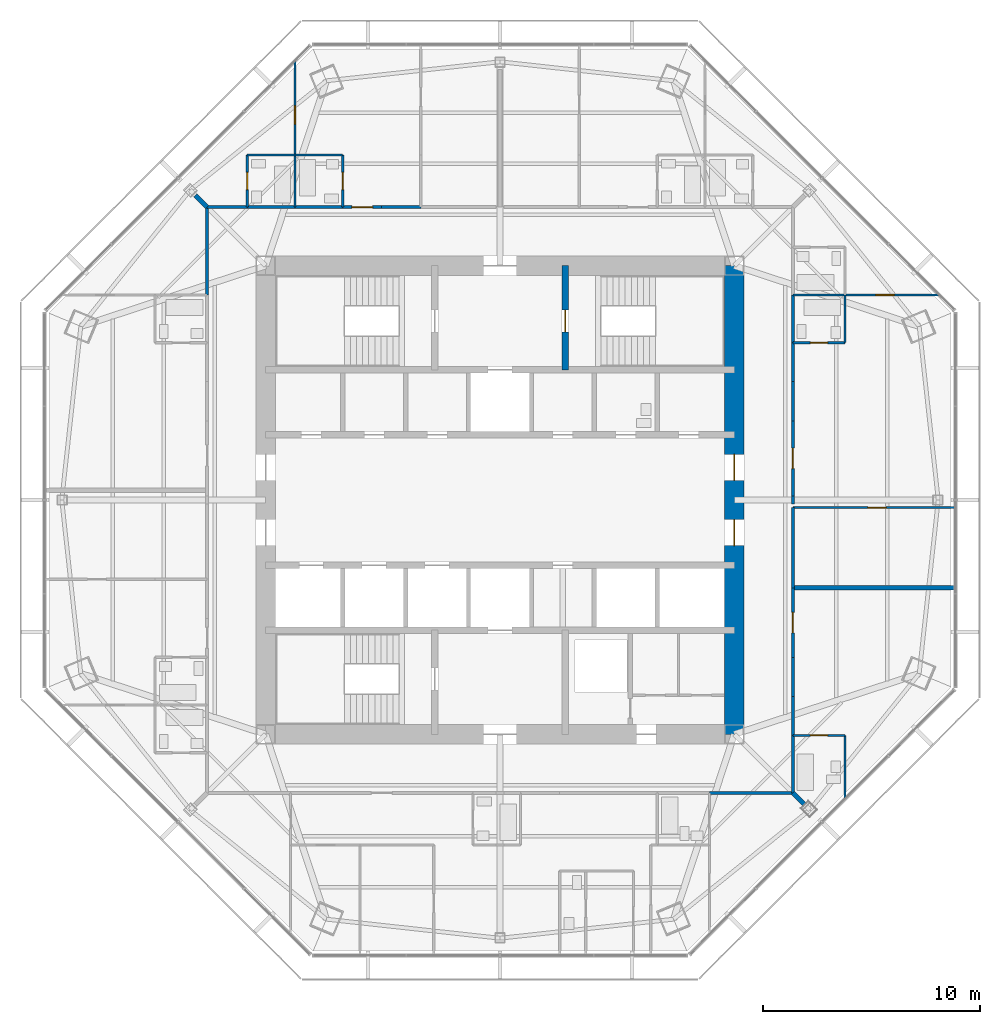
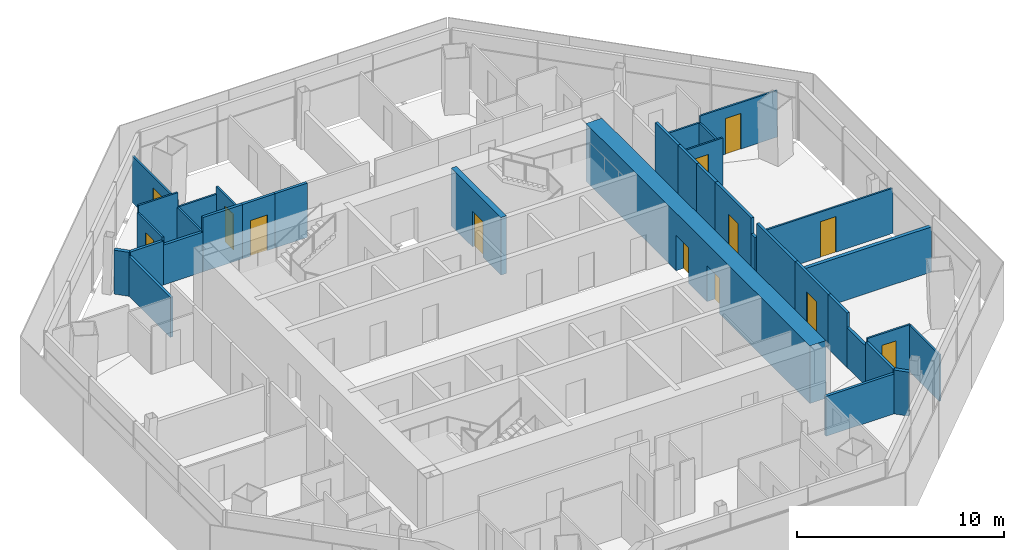
# One storey, part 11 of 15: 35 walls, 13 doors, 13 openings.
"""IFC4 building model written with IfcOpenShell, lengths in metres."""

from ifc_helpers import new_model, si_unit, direction, frame, frame_2d, origin, place, context, subcontext, project, spatial, rectangle, extrude, material, layer, layer_set, type_object, element, fill, save


model = new_model("IFC4")

# Units and contexts
model_context = context("Model", 3, precision=1e-05, world=origin(), true_north=direction((0.0, 1.0)))
body_context = subcontext(model_context, "Body", "Model", "MODEL_VIEW")
ifc_project = project(units=[si_unit("LENGTHUNIT", "METRE"), si_unit("AREAUNIT", "SQUARE_METRE"), si_unit("VOLUMEUNIT", "CUBIC_METRE"), si_unit("PLANEANGLEUNIT", "RADIAN"), si_unit("MASSUNIT", "GRAM", prefix="KILO")], contexts=[model_context])

# Site, building, storey
site_placement = place(None, origin())
site = spatial("IfcSite", under=ifc_project, at=site_placement, CompositionType="ELEMENT")
building_placement = place(site_placement, origin())
building = spatial("IfcBuilding", under=site, at=building_placement, Name="Mashrafa Tower", CompositionType="ELEMENT")
storey_placement = place(building_placement, frame((0.0, 0.0, 248.199951171875)))
storey = spatial("IfcBuildingStorey", under=building, at=storey_placement, Name="L59", CompositionType="ELEMENT", Elevation=248.199951171875)

# Walls
ifc_material_1 = material(Name="Gypsum board on steel studs", Category="steel")
ifc_layer_1 = layer(ifc_material_1, 0.199951171875)
ifc_layer_set_1 = layer_set([ifc_layer_1], Name="Acoustic partition 200 1 hr")
wall_type_1 = type_object("IfcWallType", Name="Acoustic partition 200 1 hr", PredefinedType="PARTITIONING", material=ifc_layer_set_1)
wall_1_placement = place(storey_placement, frame((13.5, -13.5, 0.0), z_axis=(0.0, 0.0, 1.0), x_axis=(0.707106781187, -0.707106781187, 0.0)))
element("IfcWall", 1, at=wall_1_placement, inside=storey, type_object=wall_type_1, Name="Acoustic wall L59-049", PredefinedType="PARTITIONING", context=body_context, shape_type="SweptSolid", body=[
    extrude(rectangle(XDim=0.76123046875, YDim=0.199951171875, at=frame_2d((0.380615234375, 0.0))), origin(), (0.0, 0.0, 1.0), 2.588134765625),
])
wall_2_placement = place(storey_placement, frame((20.9755859375, -4.050048828125, 0.0), z_axis=(0.0, 0.0, 1.0), x_axis=(-1.0, 0.0, 0.0)))
element("IfcWall", 2, at=wall_2_placement, inside=storey, type_object=wall_type_1, Name="Acoustic wall L59-050", PredefinedType="PARTITIONING", context=body_context, shape_type="SweptSolid", body=[
    extrude(rectangle(XDim=7.4755859375, YDim=0.199951171875, at=frame_2d((3.73779296875, 0.0))), origin(), (0.0, 0.0, 1.0), 2.661865234375),
])
wall_3_placement = place(storey_placement, frame((-14.038330078125, 14.038330078125, 0.0), z_axis=(0.0, 0.0, 1.0), x_axis=(0.707106781187, -0.707106781187, 0.0)))
element("IfcWall", 3, at=wall_3_placement, inside=storey, type_object=wall_type_1, Name="Acoustic wall L59-072", PredefinedType="PARTITIONING", context=body_context, shape_type="SweptSolid", body=[
    extrude(rectangle(XDim=0.76123046875, YDim=0.199951171875, at=frame_2d((0.380615234375, 0.0))), origin(), (0.0, 0.0, 1.0), 2.588134765625),
])

# Wall, opening, door
ifc_material_2 = material(Name="Concrete C50/60", Category="concrete")
ifc_layer_2 = layer(ifc_material_2, 0.300048828125)
ifc_layer_set_2 = layer_set([ifc_layer_2], Name="Core wall 300 C50/60")
wall_type_2 = type_object("IfcWallType", Name="Core wall 300 C50/60", PredefinedType="SOLIDWALL", material=ifc_layer_set_2)
wall_4_placement = place(storey_placement, frame((3.0, 6.0, 0.0), z_axis=(0.0, 0.0, 1.0), x_axis=(0.0, 1.0, 0.0)))
wall_4 = element("IfcWall", 4, at=wall_4_placement, inside=storey, type_object=wall_type_2, Name="Core wall CX-NE L59", PredefinedType="SOLIDWALL", context=body_context, shape_type="SweptSolid", body=[
    extrude(rectangle(XDim=4.800048828125, YDim=0.300048828125, at=frame_2d((2.39990234375, 0.0))), origin(), (0.0, 0.0, 1.0), 3.400146484375),
])
opening_1_placement = place(wall_4_placement, frame((1.75, 0.0, 0.0)))
opening_1 = element("IfcOpeningElement", 5, at=opening_1_placement, cuts=wall_4, Name="Opening 59.043", PredefinedType="OPENING", context=body_context, shape_type="SweptSolid", body=[
    extrude(rectangle(XDim=1.0, YDim=2.10009765625, at=frame_2d((0.5, 1.050048828125))), frame((0.0, 0.159912109375, 0.0), z_axis=(0.0, -1.0, 0.0), x_axis=(1.0, 0.0, 0.0)), (0.0, 0.0, 1.0), 0.320068359375),
])
ifc_material_3 = material(Name="Steel door", Category="steel")
door_type_1 = type_object("IfcDoorType", Name="Stair door 1000 x 2100 90 min", OperationType="USERDEFINED", PredefinedType="DOOR", material=ifc_material_3)
door_1_placement = place(opening_1_placement, frame((1.0, 0.0, 0.0), z_axis=(0.0, 0.0, 1.0), x_axis=(-1.0, 0.0, 0.0)))
door_1 = element("IfcDoor", 6, at=door_1_placement, inside=storey, type_object=door_type_1, Name="Stair S2 door L59", OperationType="SINGLE_SWING_RIGHT", OverallHeight=2.10009765625, OverallWidth=1.0, PredefinedType="DOOR", context=body_context, shape_type="SweptSolid", body=[
    extrude(rectangle(XDim=1.0, YDim=2.10009765625, at=frame_2d((0.5, 1.050048828125))), frame((0.0, 0.02490234375, 0.0), z_axis=(0.0, -1.0, 0.0), x_axis=(1.0, 0.0, 0.0)), (0.0, 0.0, 1.0), 0.050048828125),
])
fill(opening_1, door_1)

# Wall, openings, doors
ifc_material_4 = material(Name="Concrete C50/60", Category="concrete")
ifc_layer_3 = layer(ifc_material_4, 0.89990234375)
ifc_layer_set_3 = layer_set([ifc_layer_3], Name="Core wall 900 C50/60")
wall_type_3 = type_object("IfcWallType", Name="Core wall 900 C50/60", PredefinedType="SOLIDWALL", material=ifc_layer_set_3)
wall_5_placement = place(storey_placement, frame((10.800048828125, -10.800048828125, 0.0), z_axis=(0.0, 0.0, 1.0), x_axis=(0.0, 1.0, 0.0)))
wall_5 = element("IfcWall", 7, at=wall_5_placement, inside=storey, type_object=wall_type_3, Name="Core wall CW-E L59", PredefinedType="SOLIDWALL", context=body_context, shape_type="SweptSolid", body=[
    extrude(rectangle(XDim=21.60009765625, YDim=0.89990234375, at=frame_2d((10.800048828125, 0.0))), origin(), (0.0, 0.0, 1.0), 3.400146484375),
])
opening_2_placement = place(wall_5_placement, frame((11.699951171875, 0.0, 0.0)))
opening_2 = element("IfcOpeningElement", 8, at=opening_2_placement, cuts=wall_5, Name="Opening 59.036", PredefinedType="OPENING", context=body_context, shape_type="SweptSolid", body=[
    extrude(rectangle(XDim=1.199951171875, YDim=2.10009765625, at=frame_2d((0.60009765625, 1.050048828125))), frame((0.0, 0.4599609375, 0.0), z_axis=(0.0, -1.0, 0.0), x_axis=(1.0, 0.0, 0.0)), (0.0, 0.0, 1.0), 0.919921875),
])
opening_3_placement = place(wall_5_placement, frame((8.699951171875, 0.0, 0.0)))
opening_3 = element("IfcOpeningElement", 9, at=opening_3_placement, cuts=wall_5, Name="Opening 59.038", PredefinedType="OPENING", context=body_context, shape_type="SweptSolid", body=[
    extrude(rectangle(XDim=1.199951171875, YDim=2.10009765625, at=frame_2d((0.60009765625, 1.050048828125))), frame((0.0, 0.4599609375, 0.0), z_axis=(0.0, -1.0, 0.0), x_axis=(1.0, 0.0, 0.0)), (0.0, 0.0, 1.0), 0.919921875),
])
ifc_material_5 = material(Name="Steel door", Category="steel")
door_type_2 = type_object("IfcDoorType", Name="Lift hall door 1200 x 2100 90 min", OperationType="USERDEFINED", PredefinedType="DOOR", material=ifc_material_5)
door_2_placement = place(opening_2_placement, frame((1.199951171875, 0.0, 0.0), z_axis=(0.0, 0.0, 1.0), x_axis=(-1.0, 0.0, 0.0)))
door_2 = element("IfcDoor", 10, at=door_2_placement, inside=storey, type_object=door_type_2, Name="Lift hall door east L59", OperationType="SINGLE_SWING_LEFT", OverallHeight=2.10009765625, OverallWidth=1.199951171875, PredefinedType="DOOR", context=body_context, shape_type="SweptSolid", body=[
    extrude(rectangle(XDim=1.199951171875, YDim=2.10009765625, at=frame_2d((0.60009765625, 1.050048828125))), frame((0.0, 0.02490234375, 0.0), z_axis=(0.0, -1.0, 0.0), x_axis=(1.0, 0.0, 0.0)), (0.0, 0.0, 1.0), 0.050048828125),
])
fill(opening_2, door_2)
door_3_placement = place(opening_3_placement, frame((1.199951171875, 0.0, 0.0), z_axis=(0.0, 0.0, 1.0), x_axis=(-1.0, 0.0, 0.0)))
door_3 = element("IfcDoor", 11, at=door_3_placement, inside=storey, type_object=door_type_2, Name="Lift hall door east L59", OperationType="SINGLE_SWING_RIGHT", OverallHeight=2.10009765625, OverallWidth=1.199951171875, PredefinedType="DOOR", context=body_context, shape_type="SweptSolid", body=[
    extrude(rectangle(XDim=1.199951171875, YDim=2.10009765625, at=frame_2d((0.60009765625, 1.050048828125))), frame((0.0, 0.02490234375, 0.0), z_axis=(0.0, -1.0, 0.0), x_axis=(1.0, 0.0, 0.0)), (0.0, 0.0, 1.0), 0.050048828125),
])
fill(opening_3, door_3)

# Walls
ifc_material_6 = material(Name="Gypsum board on steel studs", Category="steel")
ifc_layer_4 = layer(ifc_material_6, 0.14990234375)
ifc_layer_set_4 = layer_set([ifc_layer_4], Name="Corridor partition 150 1 hr")
wall_type_4 = type_object("IfcWallType", Name="Corridor partition 150 1 hr", PredefinedType="PARTITIONING", material=ifc_layer_set_4)
wall_6_placement = place(storey_placement, frame((13.5, -13.5, 0.0), z_axis=(0.0, 0.0, 1.0), x_axis=(0.0, 1.0, 0.0)))
element("IfcWall", 12, at=wall_6_placement, inside=storey, type_object=wall_type_4, Name="Corridor wall L59-001", PredefinedType="PARTITIONING", context=body_context, shape_type="SweptSolid", body=[
    extrude(rectangle(XDim=2.65087890625, YDim=0.14990234375, at=frame_2d((1.325439453125, 0.0))), origin(), (0.0, 0.0, 1.0), 2.588134765625),
])
wall_7_placement = place(storey_placement, frame((13.5, -9.051025390625, 0.0), z_axis=(0.0, 0.0, 1.0), x_axis=(0.0, 1.0, 0.0)))
element("IfcWall", 13, at=wall_7_placement, inside=storey, type_object=wall_type_4, Name="Corridor wall L59-002", PredefinedType="PARTITIONING", context=body_context, shape_type="SweptSolid", body=[
    extrude(rectangle(XDim=1.802001953125, YDim=0.14990234375, at=frame_2d((0.90087890625, 0.0))), origin(), (0.0, 0.0, 1.0), 3.199951171875),
])
wall_8_placement = place(storey_placement, frame((13.5, -10.85107421875, 0.0), z_axis=(0.0, 0.0, 1.0), x_axis=(0.0, 1.0, 0.0)))
element("IfcWall", 14, at=wall_8_placement, inside=storey, type_object=wall_type_4, Name="Corridor wall L59-003", PredefinedType="PARTITIONING", context=body_context, shape_type="SweptSolid", body=[
    extrude(rectangle(XDim=1.802001953125, YDim=0.14990234375, at=frame_2d((0.90087890625, 0.0))), origin(), (0.0, 0.0, 1.0), 2.349365234375),
])

# Wall, opening, door
wall_9_placement = place(storey_placement, frame((13.5, -7.2509765625, 0.0), z_axis=(0.0, 0.0, 1.0), x_axis=(0.0, 1.0, 0.0)))
wall_9 = element("IfcWall", 15, at=wall_9_placement, inside=storey, type_object=wall_type_4, Name="Corridor wall L59-004", PredefinedType="PARTITIONING", context=body_context, shape_type="SweptSolid", body=[
    extrude(rectangle(XDim=3.201904296875, YDim=0.14990234375, at=frame_2d((1.60107421875, 0.0))), origin(), (0.0, 0.0, 1.0), 3.199951171875),
])
opening_4_placement = place(wall_9_placement, frame((1.1259765625, 0.0, 0.0)))
opening_4 = element("IfcOpeningElement", 16, at=opening_4_placement, cuts=wall_9, Name="Opening 59.002", PredefinedType="OPENING", context=body_context, shape_type="SweptSolid", body=[
    extrude(rectangle(XDim=0.949951171875, YDim=2.10009765625, at=frame_2d((0.47509765625, 1.050048828125))), frame((0.0, 0.0849609375, 0.0), z_axis=(0.0, -1.0, 0.0), x_axis=(1.0, 0.0, 0.0)), (0.0, 0.0, 1.0), 0.169921875),
])
ifc_material_7 = material(Name="Steel door", Category="steel")
door_type_3 = type_object("IfcDoorType", Name="Residence entrance door 950 x 2100 20 min", OperationType="USERDEFINED", PredefinedType="DOOR", material=ifc_material_7)
door_4_placement = place(opening_4_placement, frame((0.949951171875, 0.0, 0.0), z_axis=(0.0, 0.0, 1.0), x_axis=(-1.0, 0.0, 0.0)))
door_4 = element("IfcDoor", 17, at=door_4_placement, inside=storey, type_object=door_type_3, Name="Apartment 5901 Studio Living Room door", OperationType="SINGLE_SWING_LEFT", OverallHeight=2.10009765625, OverallWidth=0.949951171875, PredefinedType="DOOR", context=body_context, shape_type="SweptSolid", body=[
    extrude(rectangle(XDim=0.949951171875, YDim=2.10009765625, at=frame_2d((0.47509765625, 1.050048828125))), frame((0.0, 0.02490234375, 0.0), z_axis=(0.0, -1.0, 0.0), x_axis=(1.0, 0.0, 0.0)), (0.0, 0.0, 1.0), 0.050048828125),
])
fill(opening_4, door_4)

# Walls
wall_10_placement = place(storey_placement, frame((13.5, 7.2490234375, 0.0), z_axis=(0.0, 0.0, 1.0), x_axis=(0.0, 1.0, 0.0)))
element("IfcWall", 18, at=wall_10_placement, inside=storey, type_object=wall_type_4, Name="Corridor wall L59-007", PredefinedType="PARTITIONING", context=body_context, shape_type="SweptSolid", body=[
    extrude(rectangle(XDim=2.201904296875, YDim=0.14990234375, at=frame_2d((1.10107421875, 0.0))), origin(), (0.0, 0.0, 1.0), 3.199951171875),
])
wall_11_placement = place(storey_placement, frame((13.5, 3.64892578125, 0.0), z_axis=(0.0, 0.0, 1.0), x_axis=(0.0, 1.0, 0.0)))
element("IfcWall", 19, at=wall_11_placement, inside=storey, type_object=wall_type_4, Name="Corridor wall L59-008", PredefinedType="PARTITIONING", context=body_context, shape_type="SweptSolid", body=[
    extrude(rectangle(XDim=1.802001953125, YDim=0.14990234375, at=frame_2d((0.90087890625, 0.0))), origin(), (0.0, 0.0, 1.0), 3.199951171875),
])
wall_12_placement = place(storey_placement, frame((13.5, -4.051025390625, 0.0), z_axis=(0.0, 0.0, 1.0), x_axis=(0.0, 1.0, 0.0)))
element("IfcWall", 20, at=wall_12_placement, inside=storey, type_object=wall_type_4, Name="Corridor wall L59-009", PredefinedType="PARTITIONING", context=body_context, shape_type="SweptSolid", body=[
    extrude(rectangle(XDim=3.701904296875, YDim=0.14990234375, at=frame_2d((1.85107421875, 0.0))), origin(), (0.0, 0.0, 1.0), 3.199951171875),
])

# Wall, opening, door
wall_13_placement = place(storey_placement, frame((13.5, 0.182373046875, 0.0), z_axis=(0.0, 0.0, 1.0), x_axis=(0.0, 1.0, 0.0)))
wall_13 = element("IfcWall", 21, at=wall_13_placement, inside=storey, type_object=wall_type_4, Name="Corridor wall L59-010", PredefinedType="PARTITIONING", context=body_context, shape_type="SweptSolid", body=[
    extrude(rectangle(XDim=3.468505859375, YDim=0.14990234375, at=frame_2d((1.734375, 0.0))), origin(), (0.0, 0.0, 1.0), 3.199951171875),
])
opening_5_placement = place(wall_13_placement, frame((1.25927734375, 0.0, 0.0)))
opening_5 = element("IfcOpeningElement", 22, at=opening_5_placement, cuts=wall_13, Name="Opening 59.007", PredefinedType="OPENING", context=body_context, shape_type="SweptSolid", body=[
    extrude(rectangle(XDim=0.949951171875, YDim=2.10009765625, at=frame_2d((0.47509765625, 1.050048828125))), frame((0.0, 0.0849609375, 0.0), z_axis=(0.0, -1.0, 0.0), x_axis=(1.0, 0.0, 0.0)), (0.0, 0.0, 1.0), 0.169921875),
])
door_5_placement = place(opening_5_placement, frame((0.949951171875, 0.0, 0.0), z_axis=(0.0, 0.0, 1.0), x_axis=(-1.0, 0.0, 0.0)))
door_5 = element("IfcDoor", 23, at=door_5_placement, inside=storey, type_object=door_type_3, Name="Apartment 5902 Living Room door", OperationType="SINGLE_SWING_LEFT", OverallHeight=2.10009765625, OverallWidth=0.949951171875, PredefinedType="DOOR", context=body_context, shape_type="SweptSolid", body=[
    extrude(rectangle(XDim=0.949951171875, YDim=2.10009765625, at=frame_2d((0.47509765625, 1.050048828125))), frame((0.0, 0.02490234375, 0.0), z_axis=(0.0, -1.0, 0.0), x_axis=(1.0, 0.0, 0.0)), (0.0, 0.0, 1.0), 0.050048828125),
])
fill(opening_5, door_5)

# Walls
wall_14_placement = place(storey_placement, frame((13.5, -0.182373046875, 0.0), z_axis=(0.0, 0.0, 1.0), x_axis=(0.0, 1.0, 0.0)))
element("IfcWall", 24, at=wall_14_placement, inside=storey, type_object=wall_type_4, Name="Corridor wall L59-011", PredefinedType="PARTITIONING", context=body_context, shape_type="SweptSolid", body=[
    extrude(rectangle(XDim=0.36474609375, YDim=0.14990234375, at=frame_2d((0.182373046875, 0.0))), origin(), (0.0, 0.0, 1.0), 2.26806640625),
])
wall_15_placement = place(storey_placement, frame((13.5, 5.448974609375, 0.0), z_axis=(0.0, 0.0, 1.0), x_axis=(0.0, 1.0, 0.0)))
element("IfcWall", 25, at=wall_15_placement, inside=storey, type_object=wall_type_4, Name="Corridor wall L59-012", PredefinedType="PARTITIONING", context=body_context, shape_type="SweptSolid", body=[
    extrude(rectangle(XDim=1.802001953125, YDim=0.14990234375, at=frame_2d((0.90087890625, 0.0))), origin(), (0.0, 0.0, 1.0), 3.199951171875),
])
wall_16_placement = place(storey_placement, frame((-9.448974609375, 13.5, 0.0), z_axis=(0.0, 0.0, 1.0), x_axis=(-1.0, 0.0, 0.0)))
element("IfcWall", 26, at=wall_16_placement, inside=storey, type_object=wall_type_4, Name="Corridor wall L59-019", PredefinedType="PARTITIONING", context=body_context, shape_type="SweptSolid", body=[
    extrude(rectangle(XDim=2.201904296875, YDim=0.14990234375, at=frame_2d((1.10107421875, 0.0))), origin(), (0.0, 0.0, 1.0), 2.349365234375),
])
wall_17_placement = place(storey_placement, frame((-11.64892578125, 13.5, 0.0), z_axis=(0.0, 0.0, 1.0), x_axis=(-1.0, 0.0, 0.0)))
element("IfcWall", 27, at=wall_17_placement, inside=storey, type_object=wall_type_4, Name="Corridor wall L59-020", PredefinedType="PARTITIONING", context=body_context, shape_type="SweptSolid", body=[
    extrude(rectangle(XDim=1.85107421875, YDim=0.14990234375, at=frame_2d((0.925537109375, 0.0))), origin(), (0.0, 0.0, 1.0), 2.588134765625),
])
wall_18_placement = place(storey_placement, frame((-7.2490234375, 13.5, 0.0), z_axis=(0.0, 0.0, 1.0), x_axis=(-1.0, 0.0, 0.0)))
element("IfcWall", 28, at=wall_18_placement, inside=storey, type_object=wall_type_4, Name="Corridor wall L59-021", PredefinedType="PARTITIONING", context=body_context, shape_type="SweptSolid", body=[
    extrude(rectangle(XDim=2.201904296875, YDim=0.14990234375, at=frame_2d((1.10107421875, 0.0))), origin(), (0.0, 0.0, 1.0), 3.199951171875),
])
wall_19_placement = place(storey_placement, frame((-3.64892578125, 13.5, 0.0), z_axis=(0.0, 0.0, 1.0), x_axis=(-1.0, 0.0, 0.0)))
element("IfcWall", 29, at=wall_19_placement, inside=storey, type_object=wall_type_4, Name="Corridor wall L59-022", PredefinedType="PARTITIONING", context=body_context, shape_type="SweptSolid", body=[
    extrude(rectangle(XDim=1.802001953125, YDim=0.14990234375, at=frame_2d((0.90087890625, 0.0))), origin(), (0.0, 0.0, 1.0), 3.199951171875),
])

# Wall, opening, door
wall_20_placement = place(storey_placement, frame((-5.448974609375, 13.5, 0.0), z_axis=(0.0, 0.0, 1.0), x_axis=(-1.0, 0.0, 0.0)))
wall_20 = element("IfcWall", 30, at=wall_20_placement, inside=storey, type_object=wall_type_4, Name="Corridor wall L59-024", PredefinedType="PARTITIONING", context=body_context, shape_type="SweptSolid", body=[
    extrude(rectangle(XDim=1.802001953125, YDim=0.14990234375, at=frame_2d((0.90087890625, 0.0))), origin(), (0.0, 0.0, 1.0), 3.199951171875),
])
opening_6_placement = place(wall_20_placement, frame((0.426025390625, 0.0, 0.0)))
opening_6 = element("IfcOpeningElement", 31, at=opening_6_placement, cuts=wall_20, Name="Opening 59.017", PredefinedType="OPENING", context=body_context, shape_type="SweptSolid", body=[
    extrude(rectangle(XDim=0.949951171875, YDim=2.10009765625, at=frame_2d((0.47509765625, 1.050048828125))), frame((0.0, 0.0849609375, 0.0), z_axis=(0.0, -1.0, 0.0), x_axis=(1.0, 0.0, 0.0)), (0.0, 0.0, 1.0), 0.169921875),
])
door_6_placement = place(opening_6_placement, frame((0.949951171875, 0.0, 0.0), z_axis=(0.0, 0.0, 1.0), x_axis=(-1.0, 0.0, 0.0)))
door_6 = element("IfcDoor", 32, at=door_6_placement, inside=storey, type_object=door_type_3, Name="Apartment 5904 Living Room door", OperationType="SINGLE_SWING_RIGHT", OverallHeight=2.10009765625, OverallWidth=0.949951171875, PredefinedType="DOOR", context=body_context, shape_type="SweptSolid", body=[
    extrude(rectangle(XDim=0.949951171875, YDim=2.10009765625, at=frame_2d((0.47509765625, 1.050048828125))), frame((0.0, 0.02490234375, 0.0), z_axis=(0.0, -1.0, 0.0), x_axis=(1.0, 0.0, 0.0)), (0.0, 0.0, 1.0), 0.050048828125),
])
fill(opening_6, door_6)

# Walls
wall_21_placement = place(storey_placement, frame((-13.5, 13.5, 0.0), z_axis=(0.0, 0.0, 1.0), x_axis=(0.0, -1.0, 0.0)))
element("IfcWall", 33, at=wall_21_placement, inside=storey, type_object=wall_type_4, Name="Corridor wall L59-025", PredefinedType="PARTITIONING", context=body_context, shape_type="SweptSolid", body=[
    extrude(rectangle(XDim=4.051025390625, YDim=0.14990234375, at=frame_2d((2.025390625, 0.0))), origin(), (0.0, 0.0, 1.0), 2.349365234375),
])
wall_22_placement = place(storey_placement, frame((9.64892578125, -13.5, 0.0), z_axis=(0.0, 0.0, 1.0), x_axis=(1.0, 0.0, 0.0)))
element("IfcWall", 34, at=wall_22_placement, inside=storey, type_object=wall_type_4, Name="Corridor wall L59-044", PredefinedType="PARTITIONING", context=body_context, shape_type="SweptSolid", body=[
    extrude(rectangle(XDim=3.85107421875, YDim=0.14990234375, at=frame_2d((1.925537109375, 0.0))), origin(), (0.0, 0.0, 1.0), 2.349365234375),
])
ifc_material_8 = material(Name="Gypsum board on steel studs", Category="steel")
ifc_layer_5 = layer(ifc_material_8, 0.10009765625)
ifc_layer_set_5 = layer_set([ifc_layer_5], Name="Partition 100")
wall_type_5 = type_object("IfcWallType", Name="Partition 100", PredefinedType="PARTITIONING", material=ifc_layer_set_5)
wall_23_placement = place(storey_placement, frame((15.89990234375, -13.765380859375, 0.0), z_axis=(0.0, 0.0, 1.0), x_axis=(0.0, 1.0, 0.0)))
element("IfcWall", 35, at=wall_23_placement, inside=storey, type_object=wall_type_5, Name="Partition wall L59-047", PredefinedType="PARTITIONING", context=body_context, shape_type="SweptSolid", body=[
    extrude(rectangle(XDim=2.915283203125, YDim=0.10009765625, at=frame_2d((1.45751953125, 0.0))), origin(), (0.0, 0.0, 1.0), 2.740478515625),
])

# Wall, opening, door
wall_24_placement = place(storey_placement, frame((15.89990234375, -10.85009765625, 0.0), z_axis=(0.0, 0.0, 1.0), x_axis=(-1.0, 0.0, 0.0)))
wall_24 = element("IfcWall", 36, at=wall_24_placement, inside=storey, type_object=wall_type_5, Name="Partition wall L59-048", PredefinedType="PARTITIONING", context=body_context, shape_type="SweptSolid", body=[
    extrude(rectangle(XDim=2.39990234375, YDim=0.10009765625, at=frame_2d((1.199951171875, 0.0))), origin(), (0.0, 0.0, 1.0), 2.7861328125),
])
opening_7_placement = place(wall_24_placement, frame((0.800048828125, 0.0, 0.0)))
opening_7 = element("IfcOpeningElement", 37, at=opening_7_placement, cuts=wall_24, Name="Opening 59.001", PredefinedType="OPENING", context=body_context, shape_type="SweptSolid", body=[
    extrude(rectangle(XDim=0.800048828125, YDim=2.10009765625, at=frame_2d((0.39990234375, 1.050048828125))), frame((0.0, 0.06005859375, 0.0), z_axis=(0.0, -1.0, 0.0), x_axis=(1.0, 0.0, 0.0)), (0.0, 0.0, 1.0), 0.1201171875),
])
ifc_material_9 = material(Name="Timber door", Category="wood")
door_type_4 = type_object("IfcDoorType", Name="Bathroom door 800 x 2100", OperationType="USERDEFINED", PredefinedType="DOOR", material=ifc_material_9)
door_7_placement = place(opening_7_placement, origin())
door_7 = element("IfcDoor", 38, at=door_7_placement, inside=storey, type_object=door_type_4, Name="Apartment 5901 Bathroom door", OperationType="SINGLE_SWING_LEFT", OverallHeight=2.10009765625, OverallWidth=0.800048828125, PredefinedType="DOOR", context=body_context, shape_type="SweptSolid", body=[
    extrude(rectangle(XDim=0.800048828125, YDim=2.10009765625, at=frame_2d((0.39990234375, 1.050048828125))), frame((0.0, 0.02490234375, 0.0), z_axis=(0.0, -1.0, 0.0), x_axis=(1.0, 0.0, 0.0)), (0.0, 0.0, 1.0), 0.050048828125),
])
fill(opening_7, door_7)

# Wall
wall_25_placement = place(storey_placement, frame((13.5, 9.449951171875, 0.0), z_axis=(0.0, 0.0, 1.0), x_axis=(1.0, 0.0, 0.0)))
element("IfcWall", 39, at=wall_25_placement, inside=storey, type_object=wall_type_5, Name="Partition wall L59-053", PredefinedType="PARTITIONING", context=body_context, shape_type="SweptSolid", body=[
    extrude(rectangle(XDim=2.39990234375, YDim=0.10009765625, at=frame_2d((1.199951171875, 0.0))), origin(), (0.0, 0.0, 1.0), 2.349365234375),
])

# Wall, opening, door
wall_26_placement = place(storey_placement, frame((15.89990234375, 9.449951171875, 0.0), z_axis=(0.0, 0.0, 1.0), x_axis=(1.0, 0.0, 0.0)))
wall_26 = element("IfcWall", 40, at=wall_26_placement, inside=storey, type_object=wall_type_5, Name="Partition wall L59-054", PredefinedType="PARTITIONING", context=body_context, shape_type="SweptSolid", body=[
    extrude(rectangle(XDim=4.317626953125, YDim=0.10009765625, at=frame_2d((2.15869140625, 0.0))), origin(), (0.0, 0.0, 1.0), 2.740478515625),
])
opening_8_placement = place(wall_26_placement, frame((1.426513671875, 0.0, 0.0)))
opening_8 = element("IfcOpeningElement", 41, at=opening_8_placement, cuts=wall_26, Name="Opening 59.004", PredefinedType="OPENING", context=body_context, shape_type="SweptSolid", body=[
    extrude(rectangle(XDim=0.85009765625, YDim=2.10009765625, at=frame_2d((0.425048828125, 1.050048828125))), frame((0.0, 0.06005859375, 0.0), z_axis=(0.0, -1.0, 0.0), x_axis=(1.0, 0.0, 0.0)), (0.0, 0.0, 1.0), 0.1201171875),
])
ifc_material_10 = material(Name="Timber door", Category="wood")
door_type_5 = type_object("IfcDoorType", Name="Bedroom door 850 x 2100", OperationType="USERDEFINED", PredefinedType="DOOR", material=ifc_material_10)
door_8_placement = place(opening_8_placement, origin())
door_8 = element("IfcDoor", 42, at=door_8_placement, inside=storey, type_object=door_type_5, Name="Apartment 5902 Bedroom 1 door", OperationType="SINGLE_SWING_RIGHT", OverallHeight=2.10009765625, OverallWidth=0.85009765625, PredefinedType="DOOR", context=body_context, shape_type="SweptSolid", body=[
    extrude(rectangle(XDim=0.85009765625, YDim=2.10009765625, at=frame_2d((0.425048828125, 1.050048828125))), frame((0.0, 0.02490234375, 0.0), z_axis=(0.0, -1.0, 0.0), x_axis=(1.0, 0.0, 0.0)), (0.0, 0.0, 1.0), 0.050048828125),
])
fill(opening_8, door_8)

wall_27_placement = place(storey_placement, frame((13.5, 7.25, 0.0), z_axis=(0.0, 0.0, 1.0), x_axis=(1.0, 0.0, 0.0)))
wall_27 = element("IfcWall", 43, at=wall_27_placement, inside=storey, type_object=wall_type_5, Name="Partition wall L59-056", PredefinedType="PARTITIONING", context=body_context, shape_type="SweptSolid", body=[
    extrude(rectangle(XDim=2.39990234375, YDim=0.10009765625, at=frame_2d((1.199951171875, 0.0))), origin(), (0.0, 0.0, 1.0), 2.78369140625),
])
opening_9_placement = place(wall_27_placement, frame((0.800048828125, 0.0, 0.0)))
opening_9 = element("IfcOpeningElement", 44, at=opening_9_placement, cuts=wall_27, Name="Opening 59.005", PredefinedType="OPENING", context=body_context, shape_type="SweptSolid", body=[
    extrude(rectangle(XDim=0.800048828125, YDim=2.10009765625, at=frame_2d((0.39990234375, 1.050048828125))), frame((0.0, 0.06005859375, 0.0), z_axis=(0.0, -1.0, 0.0), x_axis=(1.0, 0.0, 0.0)), (0.0, 0.0, 1.0), 0.1201171875),
])
door_9_placement = place(opening_9_placement, origin())
door_9 = element("IfcDoor", 45, at=door_9_placement, inside=storey, type_object=door_type_4, Name="Apartment 5902 Bathroom door", OperationType="SINGLE_SWING_RIGHT", OverallHeight=2.10009765625, OverallWidth=0.800048828125, PredefinedType="DOOR", context=body_context, shape_type="SweptSolid", body=[
    extrude(rectangle(XDim=0.800048828125, YDim=2.10009765625, at=frame_2d((0.39990234375, 1.050048828125))), frame((0.0, 0.02490234375, 0.0), z_axis=(0.0, -1.0, 0.0), x_axis=(1.0, 0.0, 0.0)), (0.0, 0.0, 1.0), 0.050048828125),
])
fill(opening_9, door_9)

# Wall
wall_28_placement = place(storey_placement, frame((15.89990234375, 7.25, 0.0), z_axis=(0.0, 0.0, 1.0), x_axis=(0.0, 1.0, 0.0)))
element("IfcWall", 46, at=wall_28_placement, inside=storey, type_object=wall_type_5, Name="Partition wall L59-057", PredefinedType="PARTITIONING", context=body_context, shape_type="SweptSolid", body=[
    extrude(rectangle(XDim=2.199951171875, YDim=0.10009765625, at=frame_2d((1.10009765625, 0.0))), origin(), (0.0, 0.0, 1.0), 2.349365234375),
])

# Wall, opening, door
wall_29_placement = place(storey_placement, frame((20.9775390625, -0.35009765625, 0.0), z_axis=(0.0, 0.0, 1.0), x_axis=(-1.0, 0.0, 0.0)))
wall_29 = element("IfcWall", 47, at=wall_29_placement, inside=storey, type_object=wall_type_5, Name="Partition wall L59-058", PredefinedType="PARTITIONING", context=body_context, shape_type="SweptSolid", body=[
    extrude(rectangle(XDim=7.4775390625, YDim=0.10009765625, at=frame_2d((3.73876953125, 0.0))), origin(), (0.0, 0.0, 1.0), 2.661865234375),
])
opening_10_placement = place(wall_29_placement, frame((3.17578125, 0.0, 0.0)))
opening_10 = element("IfcOpeningElement", 48, at=opening_10_placement, cuts=wall_29, Name="Opening 59.006", PredefinedType="OPENING", context=body_context, shape_type="SweptSolid", body=[
    extrude(rectangle(XDim=0.85009765625, YDim=2.10009765625, at=frame_2d((0.425048828125, 1.050048828125))), frame((0.0, 0.06005859375, 0.0), z_axis=(0.0, -1.0, 0.0), x_axis=(1.0, 0.0, 0.0)), (0.0, 0.0, 1.0), 0.1201171875),
])
door_10_placement = place(opening_10_placement, origin())
door_10 = element("IfcDoor", 49, at=door_10_placement, inside=storey, type_object=door_type_5, Name="Apartment 5902 Bedroom 2 door", OperationType="SINGLE_SWING_LEFT", OverallHeight=2.10009765625, OverallWidth=0.85009765625, PredefinedType="DOOR", context=body_context, shape_type="SweptSolid", body=[
    extrude(rectangle(XDim=0.85009765625, YDim=2.10009765625, at=frame_2d((0.425048828125, 1.050048828125))), frame((0.0, 0.02490234375, 0.0), z_axis=(0.0, -1.0, 0.0), x_axis=(1.0, 0.0, 0.0)), (0.0, 0.0, 1.0), 0.050048828125),
])
fill(opening_10, door_10)

# Wall
wall_30_placement = place(storey_placement, frame((-9.449951171875, 15.89990234375, 0.0), z_axis=(0.0, 0.0, 1.0), x_axis=(-1.0, 0.0, 0.0)))
element("IfcWall", 50, at=wall_30_placement, inside=storey, type_object=wall_type_5, Name="Partition wall L59-068", PredefinedType="PARTITIONING", context=body_context, shape_type="SweptSolid", body=[
    extrude(rectangle(XDim=2.199951171875, YDim=0.10009765625, at=frame_2d((1.10009765625, 0.0))), origin(), (0.0, 0.0, 1.0), 3.199951171875),
])

# Wall, opening, door
wall_31_placement = place(storey_placement, frame((-11.64990234375, 15.89990234375, 0.0), z_axis=(0.0, 0.0, 1.0), x_axis=(0.0, -1.0, 0.0)))
wall_31 = element("IfcWall", 51, at=wall_31_placement, inside=storey, type_object=wall_type_5, Name="Partition wall L59-069", PredefinedType="PARTITIONING", context=body_context, shape_type="SweptSolid", body=[
    extrude(rectangle(XDim=2.39990234375, YDim=0.10009765625, at=frame_2d((1.199951171875, 0.0))), origin(), (0.0, 0.0, 1.0), 2.7861328125),
])
opening_11_placement = place(wall_31_placement, frame((0.800048828125, 0.0, 0.0)))
opening_11 = element("IfcOpeningElement", 52, at=opening_11_placement, cuts=wall_31, Name="Opening 59.013", PredefinedType="OPENING", context=body_context, shape_type="SweptSolid", body=[
    extrude(rectangle(XDim=0.800048828125, YDim=2.10009765625, at=frame_2d((0.39990234375, 1.050048828125))), frame((0.0, 0.06005859375, 0.0), z_axis=(0.0, -1.0, 0.0), x_axis=(1.0, 0.0, 0.0)), (0.0, 0.0, 1.0), 0.1201171875),
])
door_11_placement = place(opening_11_placement, origin())
door_11 = element("IfcDoor", 53, at=door_11_placement, inside=storey, type_object=door_type_4, Name="Apartment 5904 En-suite Bathroom door", OperationType="SINGLE_SWING_LEFT", OverallHeight=2.10009765625, OverallWidth=0.800048828125, PredefinedType="DOOR", context=body_context, shape_type="SweptSolid", body=[
    extrude(rectangle(XDim=0.800048828125, YDim=2.10009765625, at=frame_2d((0.39990234375, 1.050048828125))), frame((0.0, 0.02490234375, 0.0), z_axis=(0.0, -1.0, 0.0), x_axis=(1.0, 0.0, 0.0)), (0.0, 0.0, 1.0), 0.050048828125),
])
fill(opening_11, door_11)

# Wall
wall_32_placement = place(storey_placement, frame((-9.449951171875, 13.5, 0.0), z_axis=(0.0, 0.0, 1.0), x_axis=(0.0, 1.0, 0.0)))
element("IfcWall", 54, at=wall_32_placement, inside=storey, type_object=wall_type_5, Name="Partition wall L59-070", PredefinedType="PARTITIONING", context=body_context, shape_type="SweptSolid", body=[
    extrude(rectangle(XDim=2.39990234375, YDim=0.10009765625, at=frame_2d((1.199951171875, 0.0))), origin(), (0.0, 0.0, 1.0), 2.349365234375),
])

# Wall, opening, door
wall_33_placement = place(storey_placement, frame((-9.449951171875, 15.89990234375, 0.0), z_axis=(0.0, 0.0, 1.0), x_axis=(0.0, 1.0, 0.0)))
wall_33 = element("IfcWall", 55, at=wall_33_placement, inside=storey, type_object=wall_type_5, Name="Partition wall L59-071", PredefinedType="PARTITIONING", context=body_context, shape_type="SweptSolid", body=[
    extrude(rectangle(XDim=4.317626953125, YDim=0.10009765625, at=frame_2d((2.15869140625, 0.0))), origin(), (0.0, 0.0, 1.0), 2.740478515625),
])
opening_12_placement = place(wall_33_placement, frame((1.426513671875, 0.0, 0.0)))
opening_12 = element("IfcOpeningElement", 56, at=opening_12_placement, cuts=wall_33, Name="Opening 59.014", PredefinedType="OPENING", context=body_context, shape_type="SweptSolid", body=[
    extrude(rectangle(XDim=0.85009765625, YDim=2.10009765625, at=frame_2d((0.425048828125, 1.050048828125))), frame((0.0, 0.06005859375, 0.0), z_axis=(0.0, -1.0, 0.0), x_axis=(1.0, 0.0, 0.0)), (0.0, 0.0, 1.0), 0.1201171875),
])
door_12_placement = place(opening_12_placement, origin())
door_12 = element("IfcDoor", 57, at=door_12_placement, inside=storey, type_object=door_type_5, Name="Apartment 5904 Bedroom 1 door", OperationType="SINGLE_SWING_RIGHT", OverallHeight=2.10009765625, OverallWidth=0.85009765625, PredefinedType="DOOR", context=body_context, shape_type="SweptSolid", body=[
    extrude(rectangle(XDim=0.85009765625, YDim=2.10009765625, at=frame_2d((0.425048828125, 1.050048828125))), frame((0.0, 0.02490234375, 0.0), z_axis=(0.0, -1.0, 0.0), x_axis=(1.0, 0.0, 0.0)), (0.0, 0.0, 1.0), 0.050048828125),
])
fill(opening_12, door_12)

wall_34_placement = place(storey_placement, frame((-7.25, 13.5, 0.0), z_axis=(0.0, 0.0, 1.0), x_axis=(0.0, 1.0, 0.0)))
wall_34 = element("IfcWall", 58, at=wall_34_placement, inside=storey, type_object=wall_type_5, Name="Partition wall L59-073", PredefinedType="PARTITIONING", context=body_context, shape_type="SweptSolid", body=[
    extrude(rectangle(XDim=2.39990234375, YDim=0.10009765625, at=frame_2d((1.199951171875, 0.0))), origin(), (0.0, 0.0, 1.0), 2.78369140625),
])
opening_13_placement = place(wall_34_placement, frame((0.800048828125, 0.0, 0.0)))
opening_13 = element("IfcOpeningElement", 59, at=opening_13_placement, cuts=wall_34, Name="Opening 59.015", PredefinedType="OPENING", context=body_context, shape_type="SweptSolid", body=[
    extrude(rectangle(XDim=0.800048828125, YDim=2.10009765625, at=frame_2d((0.39990234375, 1.050048828125))), frame((0.0, 0.06005859375, 0.0), z_axis=(0.0, -1.0, 0.0), x_axis=(1.0, 0.0, 0.0)), (0.0, 0.0, 1.0), 0.1201171875),
])
door_13_placement = place(opening_13_placement, origin())
door_13 = element("IfcDoor", 60, at=door_13_placement, inside=storey, type_object=door_type_4, Name="Apartment 5904 Bathroom door", OperationType="SINGLE_SWING_RIGHT", OverallHeight=2.10009765625, OverallWidth=0.800048828125, PredefinedType="DOOR", context=body_context, shape_type="SweptSolid", body=[
    extrude(rectangle(XDim=0.800048828125, YDim=2.10009765625, at=frame_2d((0.39990234375, 1.050048828125))), frame((0.0, 0.02490234375, 0.0), z_axis=(0.0, -1.0, 0.0), x_axis=(1.0, 0.0, 0.0)), (0.0, 0.0, 1.0), 0.050048828125),
])
fill(opening_13, door_13)

# Wall
wall_35_placement = place(storey_placement, frame((-7.25, 15.89990234375, 0.0), z_axis=(0.0, 0.0, 1.0), x_axis=(-1.0, 0.0, 0.0)))
element("IfcWall", 61, at=wall_35_placement, inside=storey, type_object=wall_type_5, Name="Partition wall L59-074", PredefinedType="PARTITIONING", context=body_context, shape_type="SweptSolid", body=[
    extrude(rectangle(XDim=2.199951171875, YDim=0.10009765625, at=frame_2d((1.10009765625, 0.0))), origin(), (0.0, 0.0, 1.0), 2.349365234375),
])

save(model, "model.ifc")
